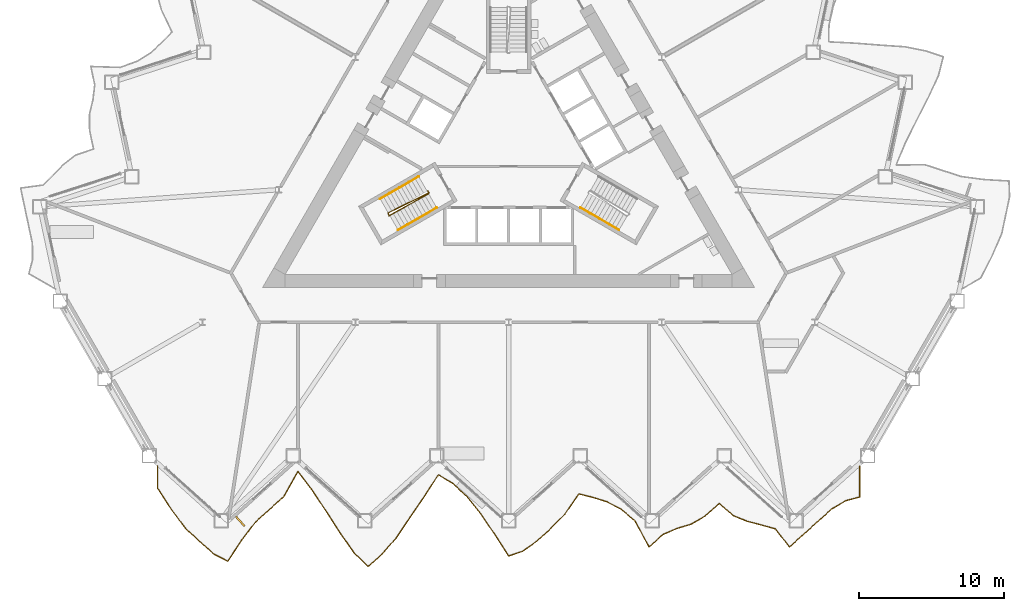
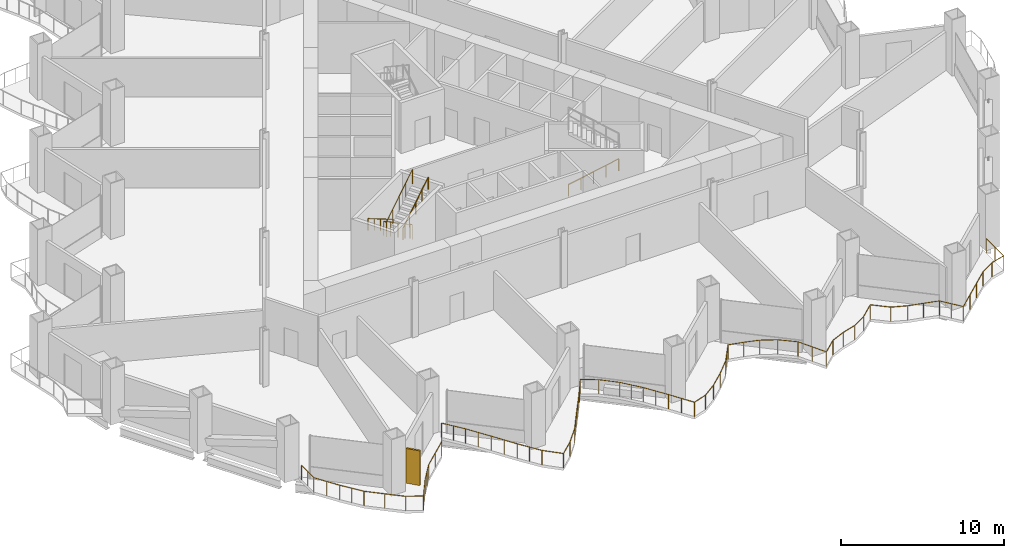
# One storey, part 17 of 21: 5 railings, 1 shading device.
"""IFC4 building model written with IfcOpenShell, lengths in metres."""

from ifc_helpers import new_model, si_unit, direction, frame, origin, origin_2d, place, context, subcontext, project, spatial, rectangle, circle, extrude, material, layer, layer_set, type_object, element, save


model = new_model("IFC4")

# Units and contexts
model_context = context("Model", 3, precision=1e-05, world=origin(), true_north=direction((0.0, 1.0)))
body_context = subcontext(model_context, "Body", "Model", "MODEL_VIEW")
ifc_project = project(units=[si_unit("LENGTHUNIT", "METRE"), si_unit("AREAUNIT", "SQUARE_METRE"), si_unit("VOLUMEUNIT", "CUBIC_METRE"), si_unit("PLANEANGLEUNIT", "RADIAN"), si_unit("MASSUNIT", "GRAM", prefix="KILO")], contexts=[model_context])

# Site, building, storey
site_placement = place(None, origin())
site = spatial("IfcSite", under=ifc_project, at=site_placement, CompositionType="ELEMENT")
building_placement = place(site_placement, origin())
building = spatial("IfcBuilding", under=site, at=building_placement, Name="Cormorant Prow Tower", CompositionType="ELEMENT")
storey_placement = place(building_placement, frame((0.0, 0.0, 51.0)))
storey = spatial("IfcBuildingStorey", under=building, at=storey_placement, Name="L10", CompositionType="ELEMENT", Elevation=51.0)

# Railings
ifc_material_1 = material(Name="Aluminium 6063-T6", Category="aluminium")
railing_type_1 = type_object("IfcRailingType", Name="Balcony guard 1100", PredefinedType="GUARDRAIL", material=ifc_material_1)
railing_1_placement = place(storey_placement, frame((-24.26318359375, -22.167236328125, 0.0)))
element("IfcRailing", 1, at=railing_1_placement, inside=storey, type_object=railing_type_1, Name="Balcony guard S", PredefinedType="GUARDRAIL", context=body_context, shape_type="SweptSolid", body=[
    extrude(circle(Radius=0.02392578125, at=origin_2d()), frame((0.0, 0.0, 1.076171875), z_axis=(0.0, -1.0, 0.0), x_axis=(1.0, 0.0, 0.0)), (0.0, 0.0, 1.0), 1.52001953125),
    extrude(circle(Radius=0.02392578125, at=origin_2d()), frame((0.0, -1.52001953125, 1.076171875), z_axis=(0.546456473438, -0.837487505959, 0.0), x_axis=(0.837487505959, 0.546456473438, 0.0)), (0.0, 0.0, 1.0), 1.77587890625),
    extrude(circle(Radius=0.02392578125, at=origin_2d()), frame((0.970458984375, -3.00732421875, 1.076171875), z_axis=(0.595102231489, -0.803650007203, 0.0), x_axis=(0.803650007203, 0.595102231489, 0.0)), (0.0, 0.0, 1.0), 1.630859375),
    extrude(circle(Radius=0.02392578125, at=origin_2d()), frame((1.94091796875, -4.31787109375, 1.076171875), z_axis=(0.743154686918, -0.669119653957, 0.0), x_axis=(0.669119653957, 0.743154686918, 0.0)), (0.0, 0.0, 1.0), 1.305908203125),
    extrude(circle(Radius=0.02392578125, at=origin_2d()), frame((2.911376953125, -5.191650390625, 1.076171875), z_axis=(0.743145427753, -0.669129937464, 0.0), x_axis=(0.669129937464, 0.743145427753, 0.0)), (0.0, 0.0, 1.0), 1.30615234375),
    extrude(circle(Radius=0.02392578125, at=origin_2d()), frame((3.882080078125, -6.065673828125, 1.076171875), z_axis=(0.886668355379, -0.462405912126, 0.0), x_axis=(0.462405912126, 0.886668355379, 0.0)), (0.0, 0.0, 1.0), 1.094482421875),
    extrude(circle(Radius=0.02392578125, at=origin_2d()), frame((4.8525390625, -6.57177734375, 1.076171875), z_axis=(0.549426091774, 0.835542320698, 0.0), x_axis=(-0.835542320698, 0.549426091774, 0.0)), (0.0, 0.0, 1.0), 1.766357421875),
    extrude(circle(Radius=0.02392578125, at=origin_2d()), frame((5.822998046875, -5.095947265625, 1.076171875), z_axis=(0.611999325903, 0.790858283825, 0.0), x_axis=(-0.790858283825, 0.611999325903, 0.0)), (0.0, 0.0, 1.0), 1.586181640625),
    extrude(circle(Radius=0.02392578125, at=origin_2d()), frame((6.793701171875, -3.841552734375, 1.076171875), z_axis=(0.743154686918, 0.669119653957, 0.0), x_axis=(-0.669119653957, 0.743154686918, 0.0)), (0.0, 0.0, 1.0), 1.305908203125),
    extrude(circle(Radius=0.02392578125, at=origin_2d()), frame((7.76416015625, -2.9677734375, 1.076171875), z_axis=(0.743154686918, 0.669119653957, 0.0), x_axis=(-0.669119653957, 0.743154686918, 0.0)), (0.0, 0.0, 1.0), 1.305908203125),
    extrude(circle(Radius=0.02392578125, at=origin_2d()), frame((8.734619140625, -2.093994140625, 1.076171875), z_axis=(0.491987922323, 0.870602024055, 0.0), x_axis=(-0.870602024055, 0.491987922323, 0.0)), (0.0, 0.0, 1.0), 1.972412109375),
    extrude(circle(Radius=0.02392578125, at=origin_2d()), frame((9.705078125, -0.376708984375, 1.076171875), z_axis=(0.607552194896, -0.794279755802, 0.0), x_axis=(0.794279755802, 0.607552194896, 0.0)), (0.0, 0.0, 1.0), 1.59765625),
    extrude(circle(Radius=0.02392578125, at=origin_2d()), frame((10.67578125, -1.645751953125, 1.076171875), z_axis=(0.553189853968, -0.833055211536, 0.0), x_axis=(0.833055211536, 0.553189853968, 0.0)), (0.0, 0.0, 1.0), 1.75439453125),
    extrude(circle(Radius=0.02392578125, at=origin_2d()), frame((11.646240234375, -3.107177734375, 1.076171875), z_axis=(0.54251539908, -0.84004585694, 0.0), x_axis=(0.84004585694, 0.54251539908, 0.0)), (0.0, 0.0, 1.0), 1.788818359375),
    extrude(circle(Radius=0.02392578125, at=origin_2d()), frame((12.61669921875, -4.60986328125, 1.076171875), z_axis=(0.574683975646, -0.818375420046, 0.0), x_axis=(0.818375420046, 0.574683975646, 0.0)), (0.0, 0.0, 1.0), 1.689208984375),
    extrude(circle(Radius=0.02392578125, at=origin_2d()), frame((13.58740234375, -5.9921875, 1.076171875), z_axis=(0.715606343426, -0.698503801885, 0.0), x_axis=(0.698503801885, 0.715606343426, 0.0)), (0.0, 0.0, 1.0), 1.356201171875),
    extrude(circle(Radius=0.02392578125, at=origin_2d()), frame((14.557861328125, -6.939453125, 1.076171875), z_axis=(0.743154686918, 0.669119653957, 0.0), x_axis=(-0.669119653957, 0.743154686918, 0.0)), (0.0, 0.0, 1.0), 1.305908203125),
    extrude(circle(Radius=0.02392578125, at=origin_2d()), frame((15.5283203125, -6.065673828125, 1.076171875), z_axis=(0.657262862537, 0.753661415709, 0.0), x_axis=(-0.753661415709, 0.657262862537, 0.0)), (0.0, 0.0, 1.0), 1.4765625),
    extrude(circle(Radius=0.02392578125, at=origin_2d()), frame((16.498779296875, -4.952880859375, 1.076171875), z_axis=(0.557674475264, 0.83005974462, 0.0), x_axis=(-0.83005974462, 0.557674475264, 0.0)), (0.0, 0.0, 1.0), 1.74072265625),
    extrude(circle(Radius=0.02392578125, at=origin_2d()), frame((17.469482421875, -3.508056640625, 1.076171875), z_axis=(0.565851984575, 0.824506841423, 0.0), x_axis=(-0.824506841423, 0.565851984575, 0.0)), (0.0, 0.0, 1.0), 1.715087890625),
    extrude(circle(Radius=0.02392578125, at=origin_2d()), frame((18.43994140625, -2.093994140625, 1.076171875), z_axis=(0.543636828573, 0.839320557724, 0.0), x_axis=(-0.839320557724, 0.543636828573, 0.0)), (0.0, 0.0, 1.0), 1.78515625),
    extrude(circle(Radius=0.02392578125, at=origin_2d()), frame((19.410400390625, -0.595703125, 1.076171875), z_axis=(0.85850102145, -0.512811852602, 0.0), x_axis=(0.512811852602, 0.85850102145, 0.0)), (0.0, 0.0, 1.0), 1.130615234375),
    extrude(circle(Radius=0.02392578125, at=origin_2d()), frame((20.381103515625, -1.175537109375, 1.076171875), z_axis=(0.735654307168, -0.677357173392, 0.0), x_axis=(0.677357173392, 0.735654307168, 0.0)), (0.0, 0.0, 1.0), 1.319091796875),
    extrude(circle(Radius=0.02392578125, at=origin_2d()), frame((21.3515625, -2.069091796875, 1.076171875), z_axis=(0.628292956506, -0.777976838219, 0.0), x_axis=(0.777976838219, 0.628292956506, 0.0)), (0.0, 0.0, 1.0), 1.544677734375),
    extrude(circle(Radius=0.02392578125, at=origin_2d()), frame((22.322021484375, -3.270751953125, 1.076171875), z_axis=(0.562708676274, -0.826655276186, 0.0), x_axis=(0.826655276186, 0.562708676274, 0.0)), (0.0, 0.0, 1.0), 1.72509765625),
    extrude(circle(Radius=0.02392578125, at=origin_2d()), frame((23.292724609375, -4.69677734375, 1.076171875), z_axis=(0.541149728785, -0.840926257787, 0.0), x_axis=(0.840926257787, 0.541149728785, 0.0)), (0.0, 0.0, 1.0), 1.793212890625),
    extrude(circle(Radius=0.02392578125, at=origin_2d()), frame((24.26318359375, -6.204833984375, 1.076171875), z_axis=(0.949397389061, 0.314077375249, 0.0), x_axis=(-0.314077375249, 0.949397389061, 0.0)), (0.0, 0.0, 1.0), 1.022216796875),
    extrude(circle(Radius=0.02392578125, at=origin_2d()), frame((25.233642578125, -5.8837890625, 1.076171875), z_axis=(0.814217473034, 0.580559993977, 0.0), x_axis=(-0.580559993977, 0.814217473034, 0.0)), (0.0, 0.0, 1.0), 1.192138671875),
    extrude(circle(Radius=0.02392578125, at=origin_2d()), frame((26.204345703125, -5.191650390625, 1.076171875), z_axis=(0.743154686918, 0.669119653957, 0.0), x_axis=(-0.669119653957, 0.743154686918, 0.0)), (0.0, 0.0, 1.0), 1.305908203125),
    extrude(circle(Radius=0.02392578125, at=origin_2d()), frame((27.1748046875, -4.31787109375, 1.076171875), z_axis=(0.697391496099, 0.716690380268, 0.0), x_axis=(-0.716690380268, 0.697391496099, 0.0)), (0.0, 0.0, 1.0), 1.3916015625),
    extrude(circle(Radius=0.02392578125, at=origin_2d()), frame((28.145263671875, -3.320556640625, 1.076171875), z_axis=(0.56854801371, 0.822650081205, 0.0), x_axis=(-0.822650081205, 0.56854801371, 0.0)), (0.0, 0.0, 1.0), 1.707275390625),
    extrude(circle(Radius=0.02392578125, at=origin_2d()), frame((29.115966796875, -1.916015625, 1.076171875), z_axis=(0.970529040878, -0.240984192037, 0.0), x_axis=(0.240984192037, 0.970529040878, 0.0)), (0.0, 0.0, 1.0), 1.0),
    extrude(circle(Radius=0.02392578125, at=origin_2d()), frame((30.08642578125, -2.156982421875, 1.076171875), z_axis=(0.95476588889, -0.297358533445, 0.0), x_axis=(0.297358533445, 0.95476588889, 0.0)), (0.0, 0.0, 1.0), 1.016357421875),
    extrude(circle(Radius=0.02392578125, at=origin_2d()), frame((31.056884765625, -2.459228515625, 1.076171875), z_axis=(0.885159562944, -0.465287597222, 0.0), x_axis=(0.465287597222, 0.885159562944, 0.0)), (0.0, 0.0, 1.0), 1.0966796875),
    extrude(circle(Radius=0.02392578125, at=origin_2d()), frame((32.027587890625, -2.969482421875, 1.076171875), z_axis=(0.767033703833, -0.641606808867, 0.0), x_axis=(0.641606808867, 0.767033703833, 0.0)), (0.0, 0.0, 1.0), 1.26513671875),
    extrude(circle(Radius=0.02392578125, at=origin_2d()), frame((32.998046875, -3.78125, 1.076171875), z_axis=(0.472914583263, -0.881108277647, 0.0), x_axis=(0.881108277647, 0.472914583263, 0.0)), (0.0, 0.0, 1.0), 2.052001953125),
    extrude(circle(Radius=0.02392578125, at=origin_2d()), frame((33.968505859375, -5.58935546875, 1.076171875), z_axis=(0.743154686918, 0.669119653957, 0.0), x_axis=(-0.669119653957, 0.743154686918, 0.0)), (0.0, 0.0, 1.0), 1.305908203125),
    extrude(circle(Radius=0.02392578125, at=origin_2d()), frame((34.93896484375, -4.715576171875, 1.076171875), z_axis=(0.918977576197, 0.394309795018, 0.0), x_axis=(-0.394309795018, 0.918977576197, 0.0)), (0.0, 0.0, 1.0), 1.056396484375),
    extrude(circle(Radius=0.02392578125, at=origin_2d()), frame((35.90966796875, -4.299072265625, 1.076171875), z_axis=(0.959242445452, 0.28258437827, 0.0), x_axis=(-0.28258437827, 0.959242445452, 0.0)), (0.0, 0.0, 1.0), 1.01171875),
    extrude(circle(Radius=0.02392578125, at=origin_2d()), frame((36.880126953125, -4.01318359375, 1.076171875), z_axis=(0.862524905766, 0.506014611383, 0.0), x_axis=(-0.506014611383, 0.862524905766, 0.0)), (0.0, 0.0, 1.0), 1.125244140625),
    extrude(circle(Radius=0.02392578125, at=origin_2d()), frame((37.8505859375, -3.44384765625, 1.076171875), z_axis=(0.743238374141, 0.669026695435, 0.0), x_axis=(-0.669026695435, 0.743238374141, 0.0)), (0.0, 0.0, 1.0), 1.30615234375),
    extrude(circle(Radius=0.02392578125, at=origin_2d()), frame((38.8212890625, -2.570068359375, 1.076171875), z_axis=(0.752025607299, -0.659133890774, 0.0), x_axis=(0.659133890774, 0.752025607299, 0.0)), (0.0, 0.0, 1.0), 1.29052734375),
    extrude(circle(Radius=0.02392578125, at=origin_2d()), frame((39.791748046875, -3.420654296875, 1.076171875), z_axis=(0.927184198697, -0.374605741662, 0.0), x_axis=(0.374605741662, 0.927184198697, 0.0)), (0.0, 0.0, 1.0), 1.046630859375),
    extrude(circle(Radius=0.02392578125, at=origin_2d()), frame((40.76220703125, -3.812744140625, 1.076171875), z_axis=(0.967970600787, -0.251063569663, 0.0), x_axis=(0.251063569663, 0.967970600787, 0.0)), (0.0, 0.0, 1.0), 1.002685546875),
    extrude(circle(Radius=0.02392578125, at=origin_2d()), frame((41.732666015625, -4.064453125, 1.076171875), z_axis=(0.962981625571, -0.269567039552, 0.0), x_axis=(0.269567039552, 0.962981625571, 0.0)), (0.0, 0.0, 1.0), 1.008056640625),
    extrude(circle(Radius=0.02392578125, at=origin_2d()), frame((42.703369140625, -4.336181640625, 1.076171875), z_axis=(0.61227570857, -0.790644330085, 0.0), x_axis=(0.790644330085, 0.61227570857, 0.0)), (0.0, 0.0, 1.0), 1.5849609375),
    extrude(circle(Radius=0.02392578125, at=origin_2d()), frame((43.673828125, -5.58935546875, 1.076171875), z_axis=(0.743154686918, 0.669119653957, 0.0), x_axis=(-0.669119653957, 0.743154686918, 0.0)), (0.0, 0.0, 1.0), 1.305908203125),
    extrude(circle(Radius=0.02392578125, at=origin_2d()), frame((44.644287109375, -4.715576171875, 1.076171875), z_axis=(0.743145427753, 0.669129937464, 0.0), x_axis=(-0.669129937464, 0.743145427753, 0.0)), (0.0, 0.0, 1.0), 1.30615234375),
    extrude(circle(Radius=0.02392578125, at=origin_2d()), frame((45.614990234375, -3.841552734375, 1.076171875), z_axis=(0.743154686918, 0.669119653957, 0.0), x_axis=(-0.669119653957, 0.743154686918, 0.0)), (0.0, 0.0, 1.0), 1.305908203125),
    extrude(circle(Radius=0.02392578125, at=origin_2d()), frame((46.58544921875, -2.9677734375, 1.076171875), z_axis=(0.85939467773, 0.511312808259, 0.0), x_axis=(-0.511312808259, 0.85939467773, 0.0)), (0.0, 0.0, 1.0), 1.129150390625),
    extrude(circle(Radius=0.02392578125, at=origin_2d()), frame((47.555908203125, -2.390380859375, 1.076171875), z_axis=(0.965931782, 0.258796817064, 0.0), x_axis=(-0.258796817064, 0.965931782, 0.0)), (0.0, 0.0, 1.0), 1.004638671875),
    extrude(circle(Radius=0.02392578125, at=origin_2d()), frame((48.5263671875, -2.13037109375, 1.076171875), z_axis=(0.0, 1.0, 0.0), x_axis=(-1.0, 0.0, 0.0)), (0.0, 0.0, 1.0), 2.13037109375),
    extrude(circle(Radius=0.02099609375, at=origin_2d()), origin(), (0.0, 0.0, 1.0), 1.052001953125),
    extrude(circle(Radius=0.02099609375, at=origin_2d()), frame((0.0, -0.760009765625, 0.0)), (0.0, 0.0, 1.0), 1.052001953125),
    extrude(circle(Radius=0.02099609375, at=origin_2d()), frame((0.0, -1.52001953125, 0.0)), (0.0, 0.0, 1.0), 1.052001953125),
    extrude(circle(Radius=0.02099609375, at=origin_2d()), frame((0.4853515625, -2.263671875, 0.0)), (0.0, 0.0, 1.0), 1.052001953125),
    extrude(circle(Radius=0.02099609375, at=origin_2d()), frame((0.970458984375, -3.00732421875, 0.0)), (0.0, 0.0, 1.0), 1.052001953125),
    extrude(circle(Radius=0.02099609375, at=origin_2d()), frame((1.45556640625, -3.66259765625, 0.0)), (0.0, 0.0, 1.0), 1.052001953125),
    extrude(circle(Radius=0.02099609375, at=origin_2d()), frame((1.94091796875, -4.31787109375, 0.0)), (0.0, 0.0, 1.0), 1.052001953125),
    extrude(circle(Radius=0.02099609375, at=origin_2d()), frame((2.911376953125, -5.191650390625, 0.0)), (0.0, 0.0, 1.0), 1.052001953125),
    extrude(circle(Radius=0.02099609375, at=origin_2d()), frame((3.882080078125, -6.065673828125, 0.0)), (0.0, 0.0, 1.0), 1.052001953125),
    extrude(circle(Radius=0.02099609375, at=origin_2d()), frame((4.8525390625, -6.57177734375, 0.0)), (0.0, 0.0, 1.0), 1.052001953125),
    extrude(circle(Radius=0.02099609375, at=origin_2d()), frame((5.337890625, -5.833984375, 0.0)), (0.0, 0.0, 1.0), 1.052001953125),
    extrude(circle(Radius=0.02099609375, at=origin_2d()), frame((5.822998046875, -5.095947265625, 0.0)), (0.0, 0.0, 1.0), 1.052001953125),
    extrude(circle(Radius=0.02099609375, at=origin_2d()), frame((6.308349609375, -4.46875, 0.0)), (0.0, 0.0, 1.0), 1.052001953125),
    extrude(circle(Radius=0.02099609375, at=origin_2d()), frame((6.793701171875, -3.841552734375, 0.0)), (0.0, 0.0, 1.0), 1.052001953125),
    extrude(circle(Radius=0.02099609375, at=origin_2d()), frame((7.76416015625, -2.9677734375, 0.0)), (0.0, 0.0, 1.0), 1.052001953125),
    extrude(circle(Radius=0.02099609375, at=origin_2d()), frame((8.734619140625, -2.093994140625, 0.0)), (0.0, 0.0, 1.0), 1.052001953125),
    extrude(circle(Radius=0.02099609375, at=origin_2d()), frame((9.2197265625, -1.2353515625, 0.0)), (0.0, 0.0, 1.0), 1.052001953125),
    extrude(circle(Radius=0.02099609375, at=origin_2d()), frame((9.705078125, -0.376708984375, 0.0)), (0.0, 0.0, 1.0), 1.052001953125),
    extrude(circle(Radius=0.02099609375, at=origin_2d()), frame((10.1904296875, -1.01123046875, 0.0)), (0.0, 0.0, 1.0), 1.052001953125),
    extrude(circle(Radius=0.02099609375, at=origin_2d()), frame((10.67578125, -1.645751953125, 0.0)), (0.0, 0.0, 1.0), 1.052001953125),
    extrude(circle(Radius=0.02099609375, at=origin_2d()), frame((11.1611328125, -2.37646484375, 0.0)), (0.0, 0.0, 1.0), 1.052001953125),
    extrude(circle(Radius=0.02099609375, at=origin_2d()), frame((11.646240234375, -3.107177734375, 0.0)), (0.0, 0.0, 1.0), 1.052001953125),
    extrude(circle(Radius=0.02099609375, at=origin_2d()), frame((12.13134765625, -3.8583984375, 0.0)), (0.0, 0.0, 1.0), 1.052001953125),
    extrude(circle(Radius=0.02099609375, at=origin_2d()), frame((12.61669921875, -4.60986328125, 0.0)), (0.0, 0.0, 1.0), 1.052001953125),
    extrude(circle(Radius=0.02099609375, at=origin_2d()), frame((13.10205078125, -5.301025390625, 0.0)), (0.0, 0.0, 1.0), 1.052001953125),
    extrude(circle(Radius=0.02099609375, at=origin_2d()), frame((13.58740234375, -5.9921875, 0.0)), (0.0, 0.0, 1.0), 1.052001953125),
    extrude(circle(Radius=0.02099609375, at=origin_2d()), frame((14.557861328125, -6.939453125, 0.0)), (0.0, 0.0, 1.0), 1.052001953125),
    extrude(circle(Radius=0.02099609375, at=origin_2d()), frame((15.5283203125, -6.065673828125, 0.0)), (0.0, 0.0, 1.0), 1.052001953125),
    extrude(circle(Radius=0.02099609375, at=origin_2d()), frame((16.498779296875, -4.952880859375, 0.0)), (0.0, 0.0, 1.0), 1.052001953125),
    extrude(circle(Radius=0.02099609375, at=origin_2d()), frame((16.984130859375, -4.23046875, 0.0)), (0.0, 0.0, 1.0), 1.052001953125),
    extrude(circle(Radius=0.02099609375, at=origin_2d()), frame((17.469482421875, -3.508056640625, 0.0)), (0.0, 0.0, 1.0), 1.052001953125),
    extrude(circle(Radius=0.02099609375, at=origin_2d()), frame((17.95458984375, -2.801025390625, 0.0)), (0.0, 0.0, 1.0), 1.052001953125),
    extrude(circle(Radius=0.02099609375, at=origin_2d()), frame((18.43994140625, -2.093994140625, 0.0)), (0.0, 0.0, 1.0), 1.052001953125),
    extrude(circle(Radius=0.02099609375, at=origin_2d()), frame((18.92529296875, -1.3447265625, 0.0)), (0.0, 0.0, 1.0), 1.052001953125),
    extrude(circle(Radius=0.02099609375, at=origin_2d()), frame((19.410400390625, -0.595703125, 0.0)), (0.0, 0.0, 1.0), 1.052001953125),
    extrude(circle(Radius=0.02099609375, at=origin_2d()), frame((20.381103515625, -1.175537109375, 0.0)), (0.0, 0.0, 1.0), 1.052001953125),
    extrude(circle(Radius=0.02099609375, at=origin_2d()), frame((21.3515625, -2.069091796875, 0.0)), (0.0, 0.0, 1.0), 1.052001953125),
    extrude(circle(Radius=0.02099609375, at=origin_2d()), frame((21.8369140625, -2.669921875, 0.0)), (0.0, 0.0, 1.0), 1.052001953125),
    extrude(circle(Radius=0.02099609375, at=origin_2d()), frame((22.322021484375, -3.270751953125, 0.0)), (0.0, 0.0, 1.0), 1.052001953125),
    extrude(circle(Radius=0.02099609375, at=origin_2d()), frame((22.807373046875, -3.98388671875, 0.0)), (0.0, 0.0, 1.0), 1.052001953125),
    extrude(circle(Radius=0.02099609375, at=origin_2d()), frame((23.292724609375, -4.69677734375, 0.0)), (0.0, 0.0, 1.0), 1.052001953125),
    extrude(circle(Radius=0.02099609375, at=origin_2d()), frame((23.77783203125, -5.45068359375, 0.0)), (0.0, 0.0, 1.0), 1.052001953125),
    extrude(circle(Radius=0.02099609375, at=origin_2d()), frame((24.26318359375, -6.204833984375, 0.0)), (0.0, 0.0, 1.0), 1.052001953125),
    extrude(circle(Radius=0.02099609375, at=origin_2d()), frame((25.233642578125, -5.8837890625, 0.0)), (0.0, 0.0, 1.0), 1.052001953125),
    extrude(circle(Radius=0.02099609375, at=origin_2d()), frame((26.204345703125, -5.191650390625, 0.0)), (0.0, 0.0, 1.0), 1.052001953125),
    extrude(circle(Radius=0.02099609375, at=origin_2d()), frame((27.1748046875, -4.31787109375, 0.0)), (0.0, 0.0, 1.0), 1.052001953125),
    extrude(circle(Radius=0.02099609375, at=origin_2d()), frame((28.145263671875, -3.320556640625, 0.0)), (0.0, 0.0, 1.0), 1.052001953125),
    extrude(circle(Radius=0.02099609375, at=origin_2d()), frame((28.630615234375, -2.6181640625, 0.0)), (0.0, 0.0, 1.0), 1.052001953125),
    extrude(circle(Radius=0.02099609375, at=origin_2d()), frame((29.115966796875, -1.916015625, 0.0)), (0.0, 0.0, 1.0), 1.052001953125),
    extrude(circle(Radius=0.02099609375, at=origin_2d()), frame((30.08642578125, -2.156982421875, 0.0)), (0.0, 0.0, 1.0), 1.052001953125),
    extrude(circle(Radius=0.02099609375, at=origin_2d()), frame((31.056884765625, -2.459228515625, 0.0)), (0.0, 0.0, 1.0), 1.052001953125),
    extrude(circle(Radius=0.02099609375, at=origin_2d()), frame((32.027587890625, -2.969482421875, 0.0)), (0.0, 0.0, 1.0), 1.052001953125),
    extrude(circle(Radius=0.02099609375, at=origin_2d()), frame((32.998046875, -3.78125, 0.0)), (0.0, 0.0, 1.0), 1.052001953125),
    extrude(circle(Radius=0.02099609375, at=origin_2d()), frame((33.4833984375, -4.685302734375, 0.0)), (0.0, 0.0, 1.0), 1.052001953125),
    extrude(circle(Radius=0.02099609375, at=origin_2d()), frame((33.968505859375, -5.58935546875, 0.0)), (0.0, 0.0, 1.0), 1.052001953125),
    extrude(circle(Radius=0.02099609375, at=origin_2d()), frame((34.93896484375, -4.715576171875, 0.0)), (0.0, 0.0, 1.0), 1.052001953125),
    extrude(circle(Radius=0.02099609375, at=origin_2d()), frame((35.90966796875, -4.299072265625, 0.0)), (0.0, 0.0, 1.0), 1.052001953125),
    extrude(circle(Radius=0.02099609375, at=origin_2d()), frame((36.880126953125, -4.01318359375, 0.0)), (0.0, 0.0, 1.0), 1.052001953125),
    extrude(circle(Radius=0.02099609375, at=origin_2d()), frame((37.8505859375, -3.44384765625, 0.0)), (0.0, 0.0, 1.0), 1.052001953125),
    extrude(circle(Radius=0.02099609375, at=origin_2d()), frame((38.8212890625, -2.570068359375, 0.0)), (0.0, 0.0, 1.0), 1.052001953125),
    extrude(circle(Radius=0.02099609375, at=origin_2d()), frame((39.791748046875, -3.420654296875, 0.0)), (0.0, 0.0, 1.0), 1.052001953125),
    extrude(circle(Radius=0.02099609375, at=origin_2d()), frame((40.76220703125, -3.812744140625, 0.0)), (0.0, 0.0, 1.0), 1.052001953125),
    extrude(circle(Radius=0.02099609375, at=origin_2d()), frame((41.732666015625, -4.064453125, 0.0)), (0.0, 0.0, 1.0), 1.052001953125),
    extrude(circle(Radius=0.02099609375, at=origin_2d()), frame((42.703369140625, -4.336181640625, 0.0)), (0.0, 0.0, 1.0), 1.052001953125),
    extrude(circle(Radius=0.02099609375, at=origin_2d()), frame((43.1884765625, -4.962890625, 0.0)), (0.0, 0.0, 1.0), 1.052001953125),
    extrude(circle(Radius=0.02099609375, at=origin_2d()), frame((43.673828125, -5.58935546875, 0.0)), (0.0, 0.0, 1.0), 1.052001953125),
    extrude(circle(Radius=0.02099609375, at=origin_2d()), frame((44.644287109375, -4.715576171875, 0.0)), (0.0, 0.0, 1.0), 1.052001953125),
    extrude(circle(Radius=0.02099609375, at=origin_2d()), frame((45.614990234375, -3.841552734375, 0.0)), (0.0, 0.0, 1.0), 1.052001953125),
    extrude(circle(Radius=0.02099609375, at=origin_2d()), frame((46.58544921875, -2.9677734375, 0.0)), (0.0, 0.0, 1.0), 1.052001953125),
    extrude(circle(Radius=0.02099609375, at=origin_2d()), frame((47.555908203125, -2.390380859375, 0.0)), (0.0, 0.0, 1.0), 1.052001953125),
    extrude(circle(Radius=0.02099609375, at=origin_2d()), frame((48.5263671875, -2.13037109375, 0.0)), (0.0, 0.0, 1.0), 1.052001953125),
    extrude(circle(Radius=0.02099609375, at=origin_2d()), frame((48.5263671875, -1.065185546875, 0.0)), (0.0, 0.0, 1.0), 1.052001953125),
    extrude(circle(Radius=0.02099609375, at=origin_2d()), frame((48.5263671875, 0.0, 0.0)), (0.0, 0.0, 1.0), 1.052001953125),
])
ifc_material_2 = material(Name="Stainless steel", Category="steel")
railing_type_2 = type_object("IfcRailingType", Name="Stair guard 1100", PredefinedType="GUARDRAIL", material=ifc_material_2)
railing_2_placement = place(storey_placement, frame((-5.585205078125, -3.137939453125, 0.0)))
element("IfcRailing", 2, at=railing_2_placement, inside=storey, type_object=railing_type_2, Name="L10 ST1 stair guard 1", PredefinedType="GUARDRAIL", context=body_context, shape_type="SweptSolid", body=[
    extrude(circle(Radius=0.02392578125, at=origin_2d()), frame((0.0, 0.0, 1.076171875), z_axis=(0.501036270542, -0.865426285481, 0.0), x_axis=(0.865426285481, 0.501036270542, 0.0)), (0.0, 0.0, 1.0), 0.150146484375),
    extrude(circle(Radius=0.02392578125, at=origin_2d()), frame((0.0751953125, -0.1298828125, 1.076171875), z_axis=(-0.744644002882, -0.368732342607, 0.556364780057), x_axis=(0.443754251299, -0.896148516963, 0.0)), (0.0, 0.0, 1.0), 3.774658203125),
    extrude(circle(Radius=0.02392578125, at=origin_2d()), frame((-2.735595703125, -1.521728515625, 3.17626953125), z_axis=(0.274721127897, -0.961523947641, 0.0), x_axis=(0.961523947641, 0.274721127897, 0.0)), (0.0, 0.0, 1.0), 0.2060546875),
    extrude(circle(Radius=0.02392578125, at=origin_2d()), frame((-2.678955078125, -1.719970703125, 3.17626953125), z_axis=(0.725764528363, 0.403684660475, 0.557049857973), x_axis=(-0.486086505765, 0.873910698477, 0.0)), (0.0, 0.0, 1.0), 3.76953125),
    extrude(circle(Radius=0.02099609375, at=origin_2d()), origin(), (0.0, 0.0, 1.0), 1.052001953125),
    extrude(circle(Radius=0.02099609375, at=origin_2d()), frame((0.0751953125, -0.1298828125, 0.0)), (0.0, 0.0, 1.0), 1.052001953125),
    extrude(circle(Radius=0.02099609375, at=origin_2d()), frame((-0.62744140625, -0.477783203125, 0.52490234375)), (0.0, 0.0, 1.0), 1.052001953125),
    extrude(circle(Radius=0.02099609375, at=origin_2d()), frame((-1.330078125, -0.82568359375, 1.050048828125)), (0.0, 0.0, 1.0), 1.052001953125),
    extrude(circle(Radius=0.02099609375, at=origin_2d()), frame((-2.032958984375, -1.173828125, 1.5751953125)), (0.0, 0.0, 1.0), 1.052001953125),
    extrude(circle(Radius=0.02099609375, at=origin_2d()), frame((-2.735595703125, -1.521728515625, 2.10009765625)), (0.0, 0.0, 1.0), 1.052001953125),
    extrude(circle(Radius=0.02099609375, at=origin_2d()), frame((-2.678955078125, -1.719970703125, 2.10009765625)), (0.0, 0.0, 1.0), 1.052001953125),
    extrude(circle(Radius=0.02099609375, at=origin_2d()), frame((-1.9951171875, -1.339599609375, 2.625)), (0.0, 0.0, 1.0), 1.052001953125),
    extrude(circle(Radius=0.02099609375, at=origin_2d()), frame((-1.31103515625, -0.958984375, 3.14990234375)), (0.0, 0.0, 1.0), 1.052001953125),
    extrude(circle(Radius=0.02099609375, at=origin_2d()), frame((-0.626953125, -0.57861328125, 3.675048828125)), (0.0, 0.0, 1.0), 1.052001953125),
    extrude(circle(Radius=0.02099609375, at=origin_2d()), frame((0.056884765625, -0.1982421875, 4.199951171875)), (0.0, 0.0, 1.0), 1.052001953125),
])
ifc_material_3 = material(Name="Stainless steel", Category="steel")
railing_type_3 = type_object("IfcRailingType", Name="Stair handrail 900", PredefinedType="HANDRAIL", material=ifc_material_3)
railing_3_placement = place(storey_placement, frame((-6.212890625, -2.150634765625, 0.175048828125)))
element("IfcRailing", 3, at=railing_3_placement, inside=storey, type_object=railing_type_3, Name="L10 ST1 stair handrail 1", PredefinedType="HANDRAIL", context=body_context, shape_type="SweptSolid", body=[
    extrude(circle(Radius=0.02392578125, at=origin_2d()), frame((0.0, 0.0, 0.8759765625), z_axis=(-0.734394994316, -0.423994474112, 0.52999309264), x_axis=(0.499992328818, -0.866029832698, 0.0)), (0.0, 0.0, 1.0), 3.63232421875),
    extrude(circle(Radius=0.02099609375, at=origin_2d()), origin(), (0.0, 0.0, 1.0), 0.851806640625),
    extrude(circle(Radius=0.02099609375, at=origin_2d()), frame((-0.6669921875, -0.385009765625, 0.481201171875)), (0.0, 0.0, 1.0), 0.851806640625),
    extrude(circle(Radius=0.02099609375, at=origin_2d()), frame((-1.333740234375, -0.77001953125, 0.96240234375)), (0.0, 0.0, 1.0), 0.851806640625),
    extrude(circle(Radius=0.02099609375, at=origin_2d()), frame((-2.00048828125, -1.155029296875, 1.44384765625)), (0.0, 0.0, 1.0), 0.851806640625),
    extrude(circle(Radius=0.02099609375, at=origin_2d()), frame((-2.66748046875, -1.5400390625, 1.925048828125)), (0.0, 0.0, 1.0), 0.851806640625),
])
railing_4_placement = place(storey_placement, frame((-7.63623046875, -5.84521484375, 2.27490234375)))
element("IfcRailing", 4, at=railing_4_placement, inside=storey, type_object=railing_type_3, Name="L10 ST1 stair handrail 2", PredefinedType="HANDRAIL", context=body_context, shape_type="SweptSolid", body=[
    extrude(circle(Radius=0.02392578125, at=origin_2d()), frame((0.0, 0.0, 0.8759765625), z_axis=(0.734364028329, 0.424015404183, 0.530019255228), x_axis=(-0.500026652407, 0.866010015463, 0.0)), (0.0, 0.0, 1.0), 3.632080078125),
    extrude(circle(Radius=0.02099609375, at=origin_2d()), origin(), (0.0, 0.0, 1.0), 0.851806640625),
    extrude(circle(Radius=0.02099609375, at=origin_2d()), frame((0.666748046875, 0.385009765625, 0.481201171875)), (0.0, 0.0, 1.0), 0.851806640625),
    extrude(circle(Radius=0.02099609375, at=origin_2d()), frame((1.33349609375, 0.77001953125, 0.96240234375)), (0.0, 0.0, 1.0), 0.851806640625),
    extrude(circle(Radius=0.02099609375, at=origin_2d()), frame((2.00048828125, 1.155029296875, 1.44384765625)), (0.0, 0.0, 1.0), 0.851806640625),
    extrude(circle(Radius=0.02099609375, at=origin_2d()), frame((2.667236328125, 1.5400390625, 1.925048828125)), (0.0, 0.0, 1.0), 0.851806640625),
])
railing_5_placement = place(storey_placement, frame((4.968994140625, -4.30517578125, 0.175048828125)))
element("IfcRailing", 5, at=railing_5_placement, inside=storey, type_object=railing_type_3, Name="L10 ST2 stair handrail 1", PredefinedType="HANDRAIL", context=body_context, shape_type="SweptSolid", body=[
    extrude(circle(Radius=0.02392578125, at=origin_2d()), frame((0.0, 0.0, 0.8759765625), z_axis=(0.734364028329, -0.424015404183, 0.530019255228), x_axis=(0.500026652407, 0.866010015463, 0.0)), (0.0, 0.0, 1.0), 3.632080078125),
    extrude(circle(Radius=0.02099609375, at=origin_2d()), origin(), (0.0, 0.0, 1.0), 0.851806640625),
    extrude(circle(Radius=0.02099609375, at=origin_2d()), frame((0.666748046875, -0.385009765625, 0.481201171875)), (0.0, 0.0, 1.0), 0.851806640625),
    extrude(circle(Radius=0.02099609375, at=origin_2d()), frame((1.33349609375, -0.77001953125, 0.96240234375)), (0.0, 0.0, 1.0), 0.851806640625),
    extrude(circle(Radius=0.02099609375, at=origin_2d()), frame((2.00048828125, -1.155029296875, 1.44384765625)), (0.0, 0.0, 1.0), 0.851806640625),
    extrude(circle(Radius=0.02099609375, at=origin_2d()), frame((2.667236328125, -1.5400390625, 1.925048828125)), (0.0, 0.0, 1.0), 0.851806640625),
])

# Shading device
ifc_material_4 = material(Name="Terracotta", Category="masonry")
ifc_layer = layer(ifc_material_4, 0.1201171875)
ifc_layer_set = layer_set([ifc_layer], Name="Terracotta")
shading_device_type = type_object("IfcShadingDeviceType", Name="Terracotta baguette fin 120x900x2600", PredefinedType="USERDEFINED", material=ifc_layer_set)
shading_device_placement = place(storey_placement, frame((-18.54248046875, -25.98046875, 0.0), z_axis=(0.0, 0.0, 1.0), x_axis=(0.74314478667, 0.669130649459, 0.0)))
element("IfcShadingDevice", 6, at=shading_device_placement, inside=storey, type_object=shading_device_type, Name="Baguette fin S01", ObjectType="BAGUETTE", PredefinedType="USERDEFINED", context=body_context, shape_type="SweptSolid", body=[
    extrude(rectangle(XDim=0.1201171875, YDim=0.89990234375, at=origin_2d()), origin(), (0.0, 0.0, 1.0), 2.60009765625),
])

save(model, "model.ifc")
